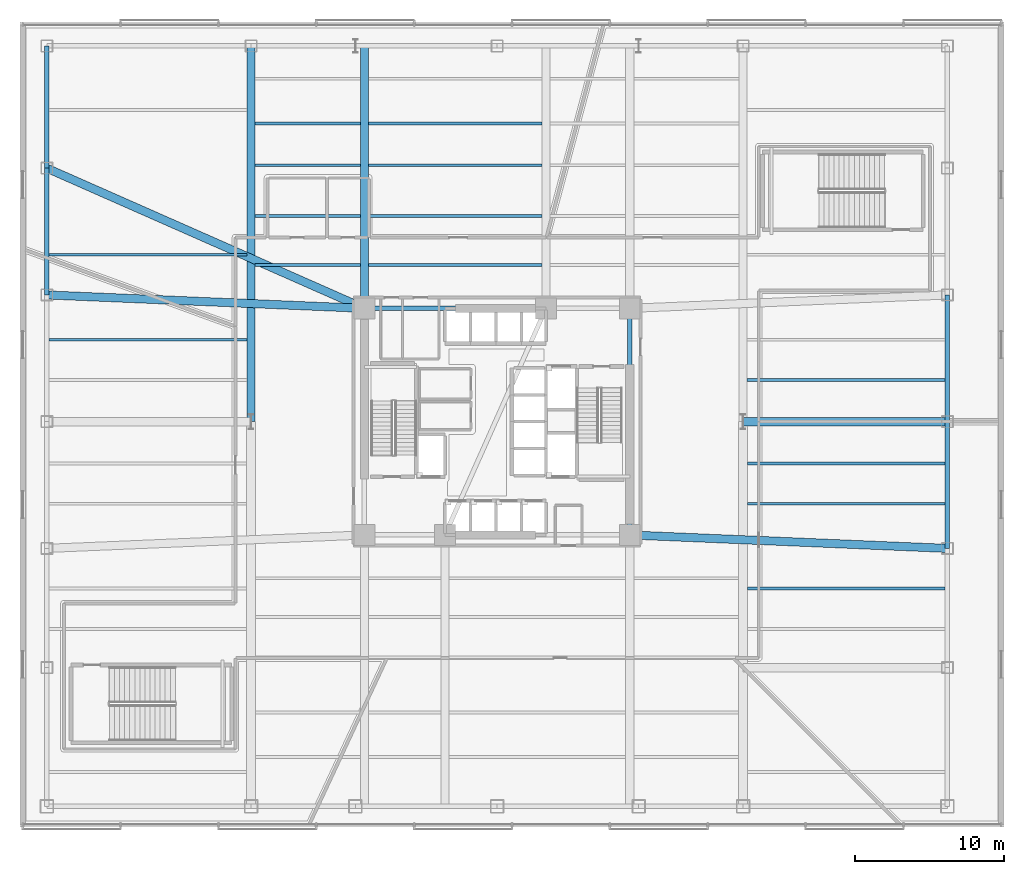
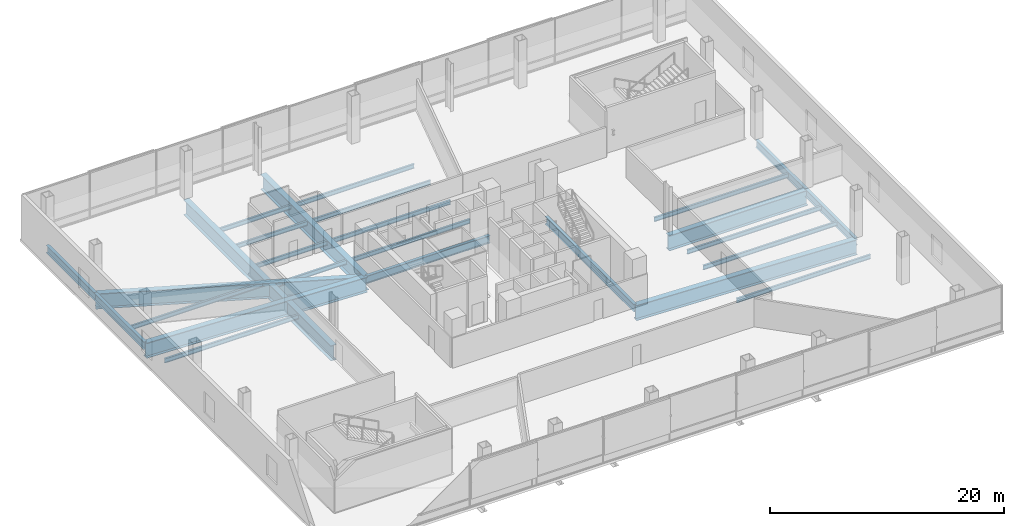
# One storey, part 5 of 24: 26 beams.
"""IFC4 building model written with IfcOpenShell, lengths in metres."""

from ifc_helpers import new_model, si_unit, direction, frame, origin, origin_2d, place, context, subcontext, project, spatial, i_section, extrude, material, material_profile, profile_set, type_object, element, save


model = new_model("IFC4")

# Units and contexts
model_context = context("Model", 3, precision=1e-05, world=origin(), true_north=direction((0.0, 1.0)))
body_context = subcontext(model_context, "Body", "Model", "MODEL_VIEW")
ifc_project = project(units=[si_unit("LENGTHUNIT", "METRE"), si_unit("AREAUNIT", "SQUARE_METRE"), si_unit("VOLUMEUNIT", "CUBIC_METRE"), si_unit("PLANEANGLEUNIT", "RADIAN"), si_unit("MASSUNIT", "GRAM", prefix="KILO")], contexts=[model_context])

# Site, building, storey
site_placement = place(None, origin())
site = spatial("IfcSite", under=ifc_project, at=site_placement, CompositionType="ELEMENT")
building_placement = place(site_placement, origin())
building = spatial("IfcBuilding", under=site, at=building_placement, Name="Tharavind Bronze Gate", CompositionType="ELEMENT")
storey_placement = place(building_placement, frame((0.0, 0.0, 21.5)))
storey = spatial("IfcBuildingStorey", under=building, at=storey_placement, Name="L04", CompositionType="ELEMENT", Elevation=21.5)

# Beams
ifc_material_1 = material(Name="Steel S355", Category="steel")
ifc_material_profile_1 = material_profile(ifc_material_1, i_section(OverallWidth=0.300048828125, OverallDepth=0.800048828125, WebThickness=0.017578125, FlangeThickness=0.032958984375, at=origin_2d()), Name="HE800B")
ifc_profile_set_1 = profile_set([ifc_material_profile_1], Name="Steel S355")
beam_type_1 = type_object("IfcBeamType", Name="RING GIRDER HE800B", PredefinedType="USERDEFINED", material=ifc_profile_set_1)
beam_1_placement = place(storey_placement, frame((8.89990234375, -7.60009765625, -0.659912109375), z_axis=(0.0, 1.0, 0.0), x_axis=(-1.0, 0.0, 0.0)))
element("IfcBeam", 1, at=beam_1_placement, inside=storey, type_object=beam_type_1, Name="L04 ring girder he800b BM-L04-CR3", ObjectType="GIRDER", PredefinedType="USERDEFINED", context=body_context, shape_type="SweptSolid", body=[
    extrude(i_section(OverallWidth=0.300048828125, OverallDepth=0.800048828125, WebThickness=0.017578125, FlangeThickness=0.032958984375, at=origin_2d()), origin(), (0.0, 0.0, 1.0), 15.2001953125),
])
beam_2_placement = place(storey_placement, frame((3.280029296875, 7.60009765625, -0.659912109375), z_axis=(-1.0, 0.0, 0.0), x_axis=(0.0, -1.0, 0.0)))
element("IfcBeam", 2, at=beam_2_placement, inside=storey, type_object=beam_type_1, Name="L04 ring girder he800b BM-L04-CR5", ObjectType="GIRDER", PredefinedType="USERDEFINED", context=body_context, shape_type="SweptSolid", body=[
    extrude(i_section(OverallWidth=0.300048828125, OverallDepth=0.800048828125, WebThickness=0.017578125, FlangeThickness=0.032958984375, at=origin_2d()), origin(), (0.0, 0.0, 1.0), 12.179931640625),
])
for number, where, z_axis, x_axis, name in (
    (3, (30.199951171875, -8.5, -0.659912109375), (0.0, 1.0, 0.0), (-1.0, 0.0, 0.0), "L04 ring girder he800b BM-L04-PE3"),
    (4, (30.199951171875, 0.0, -0.659912109375), (0.0, 1.0, 0.0), (-1.0, 0.0, 0.0), "L04 ring girder he800b BM-L04-PE4"),
    (5, (-30.199951171875, 8.5, -0.659912109375), (0.0, 1.0, 0.0), (-1.0, 0.0, 0.0), "L04 ring girder he800b BM-L04-PW5"),
):
    element("IfcBeam", number, at=place(storey_placement, frame(where, z_axis=z_axis, x_axis=x_axis)), inside=storey, type_object=beam_type_1, Name=name, ObjectType="GIRDER", PredefinedType="USERDEFINED", context=body_context, shape_type="SweptSolid", body=[
        extrude(i_section(OverallWidth=0.300048828125, OverallDepth=0.800048828125, WebThickness=0.017578125, FlangeThickness=0.032958984375, at=origin_2d()), origin(), (0.0, 0.0, 1.0), 8.5),
    ])
beam_3_placement = place(storey_placement, frame((-30.199951171875, 17.0, -0.659912109375), z_axis=(0.0, 1.0, 0.0), x_axis=(-1.0, 0.0, 0.0)))
element("IfcBeam", 6, at=beam_3_placement, inside=storey, type_object=beam_type_1, Name="L04 ring girder he800b BM-L04-PW6", ObjectType="GIRDER", PredefinedType="USERDEFINED", context=body_context, shape_type="SweptSolid", body=[
    extrude(i_section(OverallWidth=0.300048828125, OverallDepth=0.800048828125, WebThickness=0.017578125, FlangeThickness=0.032958984375, at=origin_2d()), origin(), (0.0, 0.0, 1.0), 8.199951171875),
])
ifc_material_profile_2 = material_profile(ifc_material_1, i_section(OverallWidth=0.18994140625, OverallDepth=0.449951171875, WebThickness=0.009521484375, FlangeThickness=0.0146484375, at=origin_2d()), Name="IPE450")
ifc_profile_set_2 = profile_set([ifc_material_profile_2], Name="Steel S355")
beam_type_2 = type_object("IfcBeamType", Name="SECONDARY FLOOR JOIST IPE450", PredefinedType="JOIST", material=ifc_profile_set_2)
beam_4_placement = place(storey_placement, frame((-8.623046875, 10.5, -0.485107421875), z_axis=(1.0, 0.0, 0.0), x_axis=(0.0, 1.0, 0.0)))
element("IfcBeam", 7, at=beam_4_placement, inside=storey, type_object=beam_type_2, Name="L04 secondary floor joist ipe450 BM-L04-JSN1A", PredefinedType="JOIST", context=body_context, shape_type="SweptSolid", body=[
    extrude(i_section(OverallWidth=0.18994140625, OverallDepth=0.449951171875, WebThickness=0.009521484375, FlangeThickness=0.0146484375, at=origin_2d()), origin(), (0.0, 0.0, 1.0), 11.6259765625),
])
beam_5_placement = place(storey_placement, frame((-16.222900390625, 10.5, -0.485107421875), z_axis=(1.0, 0.0, 0.0), x_axis=(0.0, 1.0, 0.0)))
element("IfcBeam", 8, at=beam_5_placement, inside=storey, type_object=beam_type_2, Name="L04 secondary floor joist ipe450 BM-L04-JSN1W", PredefinedType="JOIST", context=body_context, shape_type="SweptSolid", body=[
    extrude(i_section(OverallWidth=0.18994140625, OverallDepth=0.449951171875, WebThickness=0.009521484375, FlangeThickness=0.0146484375, at=origin_2d()), origin(), (0.0, 0.0, 1.0), 7.0458984375),
])
beam_6_placement = place(storey_placement, frame((-8.623046875, 13.800048828125, -0.485107421875), z_axis=(1.0, 0.0, 0.0), x_axis=(0.0, 1.0, 0.0)))
element("IfcBeam", 9, at=beam_6_placement, inside=storey, type_object=beam_type_2, Name="L04 secondary floor joist ipe450 BM-L04-JSN2A", PredefinedType="JOIST", context=body_context, shape_type="SweptSolid", body=[
    extrude(i_section(OverallWidth=0.18994140625, OverallDepth=0.449951171875, WebThickness=0.009521484375, FlangeThickness=0.0146484375, at=origin_2d()), origin(), (0.0, 0.0, 1.0), 11.6259765625),
])
beam_7_placement = place(storey_placement, frame((-16.222900390625, 13.800048828125, -0.485107421875), z_axis=(1.0, 0.0, 0.0), x_axis=(0.0, 1.0, 0.0)))
element("IfcBeam", 10, at=beam_7_placement, inside=storey, type_object=beam_type_2, Name="L04 secondary floor joist ipe450 BM-L04-JSN2W", PredefinedType="JOIST", context=body_context, shape_type="SweptSolid", body=[
    extrude(i_section(OverallWidth=0.18994140625, OverallDepth=0.449951171875, WebThickness=0.009521484375, FlangeThickness=0.0146484375, at=origin_2d()), origin(), (0.0, 0.0, 1.0), 7.0458984375),
])
beam_8_placement = place(storey_placement, frame((-8.623046875, 17.199951171875, -0.485107421875), z_axis=(1.0, 0.0, 0.0), x_axis=(0.0, 1.0, 0.0)))
element("IfcBeam", 11, at=beam_8_placement, inside=storey, type_object=beam_type_2, Name="L04 secondary floor joist ipe450 BM-L04-JSN3A", PredefinedType="JOIST", context=body_context, shape_type="SweptSolid", body=[
    extrude(i_section(OverallWidth=0.18994140625, OverallDepth=0.449951171875, WebThickness=0.009521484375, FlangeThickness=0.0146484375, at=origin_2d()), origin(), (0.0, 0.0, 1.0), 11.6259765625),
])
beam_9_placement = place(storey_placement, frame((-16.222900390625, 17.199951171875, -0.485107421875), z_axis=(1.0, 0.0, 0.0), x_axis=(0.0, 1.0, 0.0)))
element("IfcBeam", 12, at=beam_9_placement, inside=storey, type_object=beam_type_2, Name="L04 secondary floor joist ipe450 BM-L04-JSN3W", PredefinedType="JOIST", context=body_context, shape_type="SweptSolid", body=[
    extrude(i_section(OverallWidth=0.18994140625, OverallDepth=0.449951171875, WebThickness=0.009521484375, FlangeThickness=0.0146484375, at=origin_2d()), origin(), (0.0, 0.0, 1.0), 7.0458984375),
])
beam_10_placement = place(storey_placement, frame((-8.623046875, 20.0, -0.485107421875), z_axis=(1.0, 0.0, 0.0), x_axis=(0.0, 1.0, 0.0)))
element("IfcBeam", 13, at=beam_10_placement, inside=storey, type_object=beam_type_2, Name="L04 secondary floor joist ipe450 BM-L04-JSN4A", PredefinedType="JOIST", context=body_context, shape_type="SweptSolid", body=[
    extrude(i_section(OverallWidth=0.18994140625, OverallDepth=0.449951171875, WebThickness=0.009521484375, FlangeThickness=0.0146484375, at=origin_2d()), origin(), (0.0, 0.0, 1.0), 11.6259765625),
])
beam_11_placement = place(storey_placement, frame((-16.222900390625, 20.0, -0.485107421875), z_axis=(1.0, 0.0, 0.0), x_axis=(0.0, 1.0, 0.0)))
element("IfcBeam", 14, at=beam_11_placement, inside=storey, type_object=beam_type_2, Name="L04 secondary floor joist ipe450 BM-L04-JSN4W", PredefinedType="JOIST", context=body_context, shape_type="SweptSolid", body=[
    extrude(i_section(OverallWidth=0.18994140625, OverallDepth=0.449951171875, WebThickness=0.009521484375, FlangeThickness=0.0146484375, at=origin_2d()), origin(), (0.0, 0.0, 1.0), 7.0458984375),
])
for number, where, z_axis, x_axis, name in (
    (15, (16.802001953125, -11.199951171875, -0.485107421875), (1.0, 0.0, 0.0), (0.0, 1.0, 0.0), "L04 secondary floor joist ipe450 BM-L04-JSEE3"),
    (16, (16.802001953125, -5.5, -0.485107421875), (1.0, 0.0, 0.0), (0.0, 1.0, 0.0), "L04 secondary floor joist ipe450 BM-L04-JSEE4"),
    (17, (16.802001953125, -2.800048828125, -0.485107421875), (1.0, 0.0, 0.0), (0.0, 1.0, 0.0), "L04 secondary floor joist ipe450 BM-L04-JSEE5"),
):
    element("IfcBeam", number, at=place(storey_placement, frame(where, z_axis=z_axis, x_axis=x_axis)), inside=storey, type_object=beam_type_2, Name=name, PredefinedType="JOIST", context=body_context, shape_type="SweptSolid", body=[
        extrude(i_section(OverallWidth=0.18994140625, OverallDepth=0.449951171875, WebThickness=0.009521484375, FlangeThickness=0.0146484375, at=origin_2d()), origin(), (0.0, 0.0, 1.0), 13.238037109375),
    ])
for number, where, z_axis, x_axis, name in (
    (18, (16.777099609375, 2.800048828125, -0.485107421875), (1.0, 0.0, 0.0), (0.0, 1.0, 0.0), "L04 secondary floor joist ipe450 BM-L04-JSEE6"),
    (19, (-30.0400390625, 5.5, -0.485107421875), (1.0, 0.0, 0.0), (0.0, 1.0, 0.0), "L04 secondary floor joist ipe450 BM-L04-JSWW7"),
    (20, (-30.0400390625, 11.199951171875, -0.485107421875), (1.0, 0.0, 0.0), (0.0, 1.0, 0.0), "L04 secondary floor joist ipe450 BM-L04-JSWW8"),
):
    element("IfcBeam", number, at=place(storey_placement, frame(where, z_axis=z_axis, x_axis=x_axis)), inside=storey, type_object=beam_type_2, Name=name, PredefinedType="JOIST", context=body_context, shape_type="SweptSolid", body=[
        extrude(i_section(OverallWidth=0.18994140625, OverallDepth=0.449951171875, WebThickness=0.009521484375, FlangeThickness=0.0146484375, at=origin_2d()), origin(), (0.0, 0.0, 1.0), 13.262939453125),
    ])
ifc_material_2 = material(Name="Steel S460", Category="steel")
ifc_material_profile_3 = material_profile(ifc_material_2, i_section(OverallWidth=0.550048828125, OverallDepth=1.60009765625, WebThickness=0.030029296875, FlangeThickness=0.050048828125, at=origin_2d()), Name="PG1600X550")
ifc_profile_set_3 = profile_set([ifc_material_profile_3], Name="Steel S460")
beam_type_3 = type_object("IfcBeamType", Name="TRANSFER GIRDER 1600X550", PredefinedType="USERDEFINED", material=ifc_profile_set_3)
beam_12_placement = place(storey_placement, frame((-16.5, 0.0, -1.06005859375), z_axis=(0.0, 1.0, 0.0), x_axis=(-1.0, 0.0, 0.0)))
element("IfcBeam", 21, at=beam_12_placement, inside=storey, type_object=beam_type_3, Name="L04 transfer girder 1600x550 BM-L04-GS1N", ObjectType="TRANSFER GIRDER", PredefinedType="USERDEFINED", context=body_context, shape_type="SweptSolid", body=[
    extrude(i_section(OverallWidth=0.550048828125, OverallDepth=1.60009765625, WebThickness=0.030029296875, FlangeThickness=0.050048828125, at=origin_2d()), origin(), (0.0, 0.0, 1.0), 25.199951171875),
])
beam_13_placement = place(storey_placement, frame((-8.89990234375, 25.199951171875, -1.06005859375), z_axis=(0.0, -1.0, 0.0), x_axis=(1.0, 0.0, 0.0)))
element("IfcBeam", 22, at=beam_13_placement, inside=storey, type_object=beam_type_3, Name="L04 transfer girder 1600x550 BM-L04-GN2", ObjectType="TRANSFER GIRDER", PredefinedType="USERDEFINED", context=body_context, shape_type="SweptSolid", body=[
    extrude(i_section(OverallWidth=0.550048828125, OverallDepth=1.60009765625, WebThickness=0.030029296875, FlangeThickness=0.050048828125, at=origin_2d()), origin(), (0.0, 0.0, 1.0), 17.599853515625),
])
beam_14_placement = place(storey_placement, frame((-30.199951171875, 8.5, -1.06005859375), z_axis=(0.999108710794, -0.04221118354, 0.0), x_axis=(0.04221118354, 0.999108710794, 0.0)))
element("IfcBeam", 23, at=beam_14_placement, inside=storey, type_object=beam_type_3, Name="L04 transfer girder 1600x550 BM-L04-GW2", ObjectType="TRANSFER GIRDER", PredefinedType="USERDEFINED", context=body_context, shape_type="SweptSolid", body=[
    extrude(i_section(OverallWidth=0.550048828125, OverallDepth=1.60009765625, WebThickness=0.030029296875, FlangeThickness=0.050048828125, at=origin_2d()), origin(), (0.0, 0.0, 1.0), 21.319091796875),
])
beam_15_placement = place(storey_placement, frame((-30.199951171875, 17.0, -1.06005859375), z_axis=(0.914873033852, -0.403741664844, 0.0), x_axis=(0.403741664844, 0.914873033852, 0.0)))
element("IfcBeam", 24, at=beam_15_placement, inside=storey, type_object=beam_type_3, Name="L04 transfer girder 1600x550 BM-L04-GW4", ObjectType="TRANSFER GIRDER", PredefinedType="USERDEFINED", context=body_context, shape_type="SweptSolid", body=[
    extrude(i_section(OverallWidth=0.550048828125, OverallDepth=1.60009765625, WebThickness=0.030029296875, FlangeThickness=0.050048828125, at=origin_2d()), origin(), (0.0, 0.0, 1.0), 23.281982421875),
])
beam_16_placement = place(storey_placement, frame((30.199951171875, -8.5, -1.06005859375), z_axis=(-0.999108710794, 0.04221118354, 0.0), x_axis=(-0.04221118354, -0.999108710794, 0.0)))
element("IfcBeam", 25, at=beam_16_placement, inside=storey, type_object=beam_type_3, Name="L04 transfer girder 1600x550 BM-L04-GE1", ObjectType="TRANSFER GIRDER", PredefinedType="USERDEFINED", context=body_context, shape_type="SweptSolid", body=[
    extrude(i_section(OverallWidth=0.550048828125, OverallDepth=1.60009765625, WebThickness=0.030029296875, FlangeThickness=0.050048828125, at=origin_2d()), origin(), (0.0, 0.0, 1.0), 21.319091796875),
])
beam_17_placement = place(storey_placement, frame((30.199951171875, 0.0, -1.06005859375), z_axis=(-1.0, 0.0, 0.0), x_axis=(0.0, -1.0, 0.0)))
element("IfcBeam", 26, at=beam_17_placement, inside=storey, type_object=beam_type_3, Name="L04 transfer girder 1600x550 BM-L04-GE3", ObjectType="TRANSFER GIRDER", PredefinedType="USERDEFINED", context=body_context, shape_type="SweptSolid", body=[
    extrude(i_section(OverallWidth=0.550048828125, OverallDepth=1.60009765625, WebThickness=0.030029296875, FlangeThickness=0.050048828125, at=origin_2d()), origin(), (0.0, 0.0, 1.0), 13.699951171875),
])

save(model, "model.ifc")
